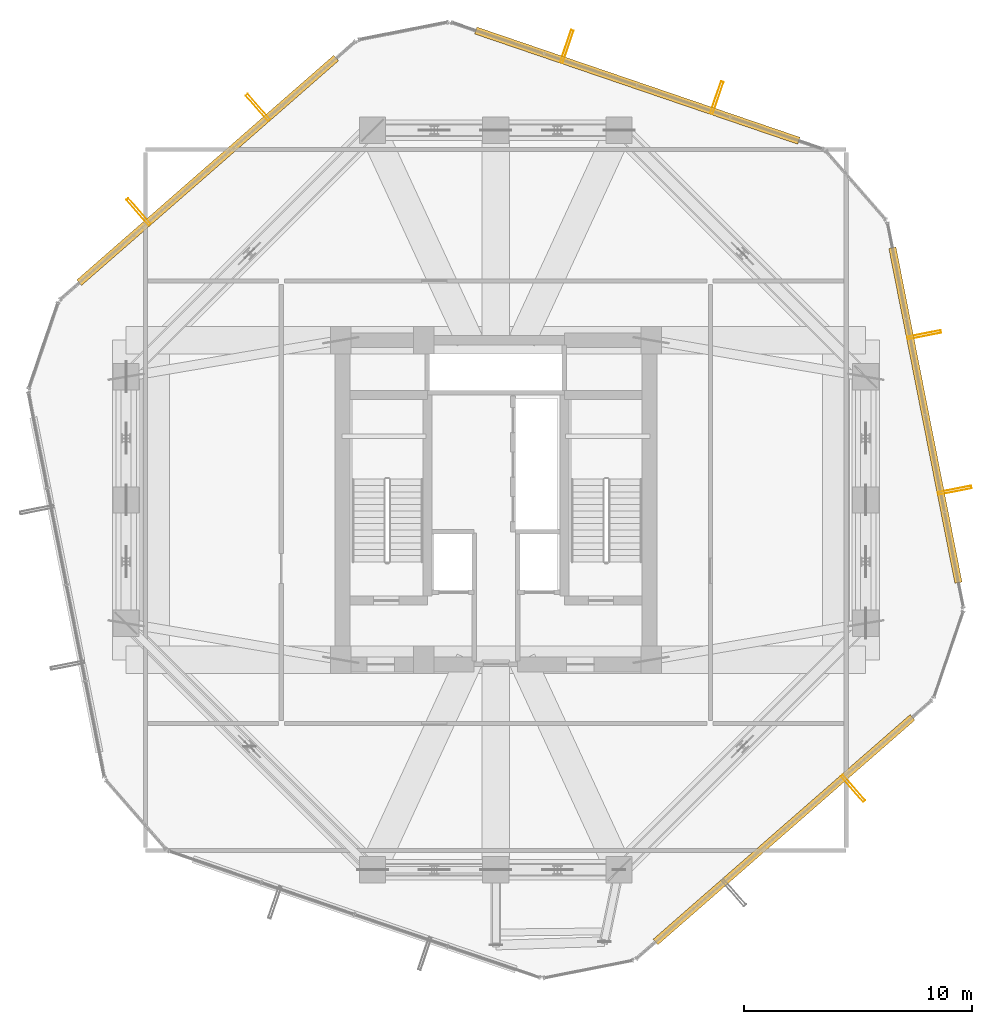
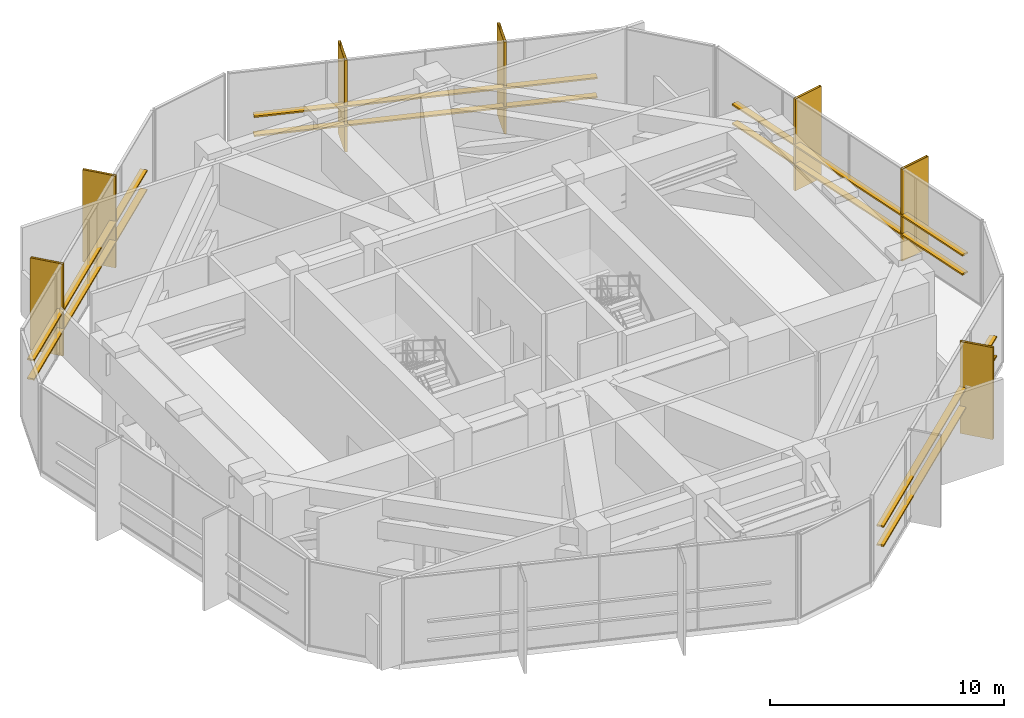
# One storey, part 36 of 36: 15 shading devices.
"""IFC4 building model written with IfcOpenShell, lengths in metres."""

from ifc_helpers import new_model, si_unit, direction, frame, origin, origin_2d, place, context, subcontext, project, spatial, hollow_rectangle, extrude, material, material_profile, profile_set, type_object, element, save


model = new_model("IFC4")

# Units and contexts
model_context = context("Model", 3, precision=1e-05, world=origin(), true_north=direction((0.0, 1.0)))
body_context = subcontext(model_context, "Body", "Model", "MODEL_VIEW")
ifc_project = project(units=[si_unit("LENGTHUNIT", "METRE"), si_unit("AREAUNIT", "SQUARE_METRE"), si_unit("VOLUMEUNIT", "CUBIC_METRE"), si_unit("PLANEANGLEUNIT", "RADIAN"), si_unit("MASSUNIT", "GRAM", prefix="KILO")], contexts=[model_context])

# Site, building, storey
site_placement = place(None, origin())
site = spatial("IfcSite", under=ifc_project, at=site_placement, CompositionType="ELEMENT")
building_placement = place(site_placement, origin())
building = spatial("IfcBuilding", under=site, at=building_placement, Name="Veraguas Prism Commons", CompositionType="ELEMENT")
storey_placement = place(building_placement, frame((0.0, 0.0, 169.550048828125)))
storey = spatial("IfcBuildingStorey", under=building, at=storey_placement, Name="L48", CompositionType="ELEMENT", Elevation=169.550048828125)

# Shading devices
ifc_material = material(Name="Anodised aluminium EN AW-6063 T6", Category="aluminium")
ifc_material_profile_1 = material_profile(ifc_material, hollow_rectangle(XDim=0.1201171875, YDim=1.489990234375, WallThickness=0.006103515625, at=origin_2d()), Name="FIN120X1490X6")
ifc_profile_set_1 = profile_set([ifc_material_profile_1], Name="Anodised aluminium EN AW-6063 T6")
shading_device_type_1 = type_object("IfcShadingDeviceType", Name="Deep Pale-Metal Vertical Solar Fin 120x1490", PredefinedType="USERDEFINED", material=ifc_profile_set_1)
for number, where, z_axis, x_axis, name in (
    (1, (33.68115234375, 41.62548828125, -0.300048828125), (0.0, 0.0, 1.0), (-0.946424045543, 0.322926502501, 0.0), "Vertical Pale-Metal Solar Fin L48-F1A"),
    (2, (27.111328125, 43.8671875, -0.300048828125), (0.0, 0.0, 1.0), (-0.946424045543, 0.322926502501, 0.0), "Vertical Pale-Metal Solar Fin L48-F1B"),
    (3, (13.57666015625, 41.197021484375, -0.300048828125), (0.0, 0.0, 1.0), (-0.752873428778, -0.658165328956, 0.0), "Vertical Pale-Metal Solar Fin L48-F2A"),
    (4, (8.350341796875, 36.628173828125, -0.300048828125), (0.0, 0.0, 1.0), (-0.752873428778, -0.658165328956, 0.0), "Vertical Pale-Metal Solar Fin L48-F2B"),
    (5, (39.649658203125, 11.371826171875, -0.300048828125), (0.0, 0.0, 1.0), (0.752873428778, 0.658165328956, 0.0), "Vertical Pale-Metal Solar Fin L48-F5B"),
    (6, (44.104736328125, 24.428466796875, -0.300048828125), (0.0, 0.0, 1.0), (-0.193546043398, 0.981091193052, 0.0), "Vertical Pale-Metal Solar Fin L48-F6A"),
    (7, (42.76123046875, 31.239013671875, -0.300048828125), (0.0, 0.0, 1.0), (-0.193546043398, 0.981091193052, 0.0), "Vertical Pale-Metal Solar Fin L48-F6B"),
):
    element("IfcShadingDevice", number, at=place(storey_placement, frame(where, z_axis=z_axis, x_axis=x_axis)), inside=storey, type_object=shading_device_type_1, Name=name, ObjectType="FIN", PredefinedType="USERDEFINED", context=body_context, shape_type="SweptSolid", body=[
        extrude(hollow_rectangle(XDim=0.1201171875, YDim=1.489990234375, WallThickness=0.006103515625, at=origin_2d()), origin(), (0.0, 0.0, 1.0), 4.800048828125),
    ])
ifc_material_profile_2 = material_profile(ifc_material, hollow_rectangle(XDim=0.080078125, YDim=0.320068359375, WallThickness=0.00390625, at=origin_2d()), Name="LVR80X320X4")
ifc_profile_set_2 = profile_set([ifc_material_profile_2], Name="Anodised aluminium EN AW-6063 T6")
shading_device_type_2 = type_object("IfcShadingDeviceType", Name="Plant Room Acoustic Weather Louvre 80x320", PredefinedType="JALOUSIE", material=ifc_profile_set_2)
for number, where, z_axis, x_axis, name in (
    (8, (37.27099609375, 39.739990234375, 1.099853515625), (-0.946419607638, 0.322939508697, 0.0), (0.0, 0.0, 1.0), "Plant Acoustic Weather Louvre L48-F1A"),
    (9, (37.27099609375, 39.739990234375, 2.099853515625), (-0.946419607638, 0.322939508697, 0.0), (0.0, 0.0, 1.0), "Plant Acoustic Weather Louvre L48-F1B"),
    (10, (17.004150390625, 43.36328125, 1.099853515625), (-0.752871924794, -0.658167049355, 0.0), (0.0, 0.0, 1.0), "Plant Acoustic Weather Louvre L48-F2A"),
    (11, (17.004150390625, 43.36328125, 2.099853515625), (-0.752871924794, -0.658167049355, 0.0), (0.0, 0.0, 1.0), "Plant Acoustic Weather Louvre L48-F2B"),
    (12, (30.995849609375, 4.63671875, 1.099853515625), (0.752871924794, 0.658167049355, 0.0), (0.0, 0.0, 1.0), "Plant Acoustic Weather Louvre L48-F5A"),
    (13, (30.995849609375, 4.63671875, 2.099853515625), (0.752871924794, 0.658167049355, 0.0), (0.0, 0.0, 1.0), "Plant Acoustic Weather Louvre L48-F5B"),
    (14, (44.266845703125, 20.376953125, 1.099853515625), (-0.193541023922, 0.981092183263, 0.0), (0.0, 0.0, 1.0), "Plant Acoustic Weather Louvre L48-F6A"),
    (15, (44.266845703125, 20.376953125, 2.099853515625), (-0.193541023922, 0.981092183263, 0.0), (0.0, 0.0, 1.0), "Plant Acoustic Weather Louvre L48-F6B"),
):
    element("IfcShadingDevice", number, at=place(storey_placement, frame(where, z_axis=z_axis, x_axis=x_axis)), inside=storey, type_object=shading_device_type_2, Name=name, PredefinedType="JALOUSIE", context=body_context, shape_type="SweptSolid", body=[
        extrude(hollow_rectangle(XDim=0.080078125, YDim=0.320068359375, WallThickness=0.00390625, at=origin_2d()), origin(), (0.0, 0.0, 1.0), 14.954345703125),
    ])

save(model, "model.ifc")
